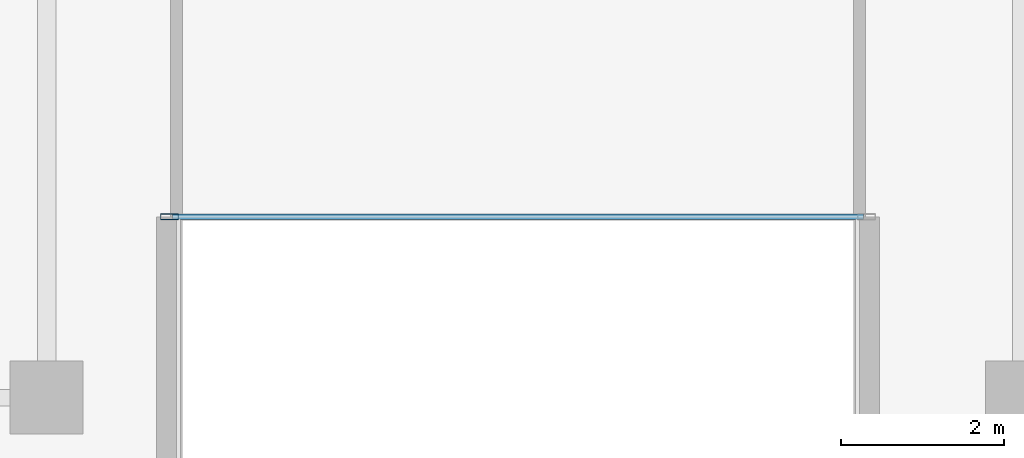
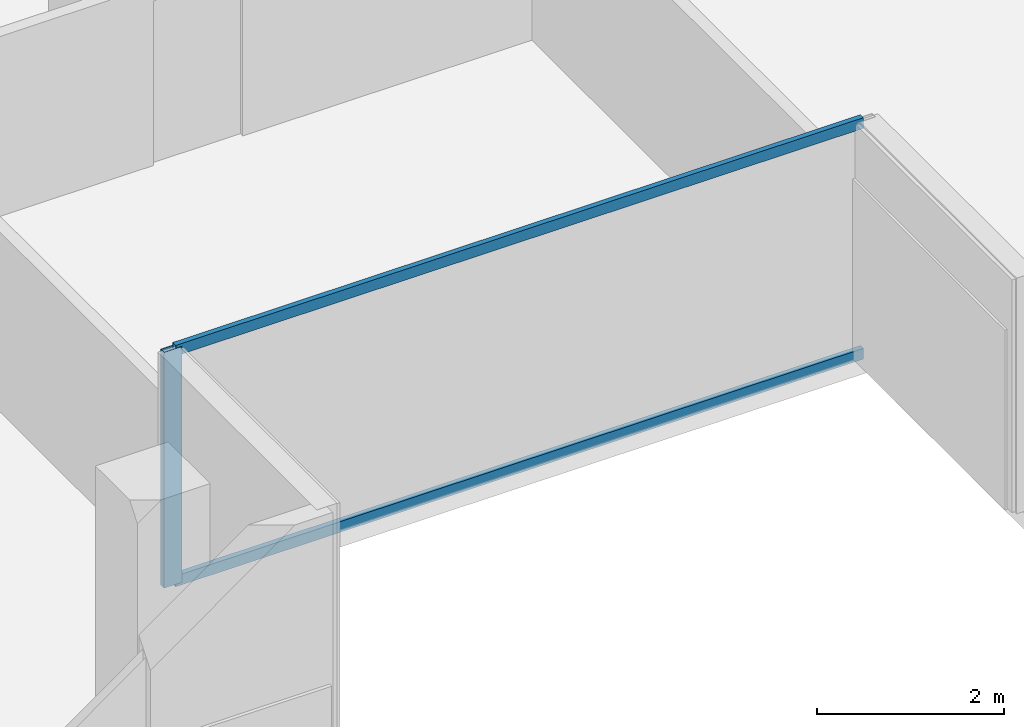
# One storey, part 2 of 19: 3 members, 1 element without a shape of its own.
"""IFC4 building model written with IfcOpenShell, lengths in metres."""

import ifcopenshell
import ifcopenshell.guid

model = None  # the IFC model being written
_history = None  # IfcOwnerHistory: only IFC2X3 demands one
_inside = {}  # id of a spatial element -> (the spatial element, [elements in it])
_under = {}  # id of a project, library or spatial element -> (it, [spatial elements below it])
_declared = {}  # id of a project -> (the project, [libraries it declares])
_typed = {}  # id of a type object -> (the type object, [elements of that type])
_made_of = {}  # id of a material, layer set ... -> (it, [elements and type objects made of it])


def new_model(schema):
    """Start an empty IFC model of exactly this schema.

    Asked for "IFC4X3", IfcOpenShell would pick the latest addendum, in which some entities
    have other attributes; the version numbers below select the first issue.
    IFC2X3 requires an IfcOwnerHistory on every rooted entity: one is made here for all.
    """
    global model, _history
    if schema == "IFC4X3":
        model = ifcopenshell.file(schema_version=(4, 3, 0, 0))
    else:
        model = ifcopenshell.file(schema=schema)
    _inside.clear()
    _under.clear()
    _declared.clear()
    _typed.clear()
    _made_of.clear()
    _history = None
    if model.schema == "IFC2X3":
        org = make("IfcOrganization", Name="unknown")
        user = make(
            "IfcPersonAndOrganization",
            ThePerson=make("IfcPerson", FamilyName="unknown"),
            TheOrganization=org,
        )
        app = make(
            "IfcApplication",
            ApplicationDeveloper=org,
            Version="unknown",
            ApplicationFullName="unknown",
            ApplicationIdentifier="unknown",
        )
        _history = make(
            "IfcOwnerHistory",
            OwningUser=user,
            OwningApplication=app,
            ChangeAction="ADDED",
            CreationDate=0,
        )
    return model


def make(cls, **values):
    """One entity of the class cls with the attributes given. An attribute that is None is left unset."""
    return model.create_entity(
        cls, **{name: value for name, value in values.items() if value is not None}
    )


def rooted(cls, **values):
    """An entity with a GlobalId (a new one), such as an element, a storey or a relation."""
    return make(cls, GlobalId=ifcopenshell.guid.new(), OwnerHistory=_history, **values)


def si_unit(unit_type, name, prefix=None):
    """IfcSIUnit, for example si_unit("LENGTHUNIT", "METRE", prefix="MILLI")."""
    return make("IfcSIUnit", UnitType=unit_type, Prefix=prefix, Name=name)


def assignment(units):
    """IfcUnitAssignment: the units of a project."""
    return None if units is None else make("IfcUnitAssignment", Units=units)


def point(xyz):
    """IfcCartesianPoint."""
    return None if xyz is None else make("IfcCartesianPoint", Coordinates=xyz)


def direction(xyz):
    """IfcDirection."""
    return None if xyz is None else make("IfcDirection", DirectionRatios=xyz)


def frame(location, z_axis=None, x_axis=None):
    """IfcAxis2Placement3D, a coordinate frame: its origin and axes. An axis left out is left unset."""
    return make(
        "IfcAxis2Placement3D",
        Location=point(location),
        Axis=direction(z_axis),
        RefDirection=direction(x_axis),
    )


def frame_2d(location, x_axis=None):
    """IfcAxis2Placement2D, a coordinate frame in the plane: its origin and x axis."""
    return make(
        "IfcAxis2Placement2D", Location=point(location), RefDirection=direction(x_axis)
    )


def origin():
    """The frame at (0, 0, 0) with its axes left unset."""
    return frame((0.0, 0.0, 0.0))


def origin_2d():
    """The frame at (0, 0) in the plane with its x axis left unset."""
    return frame_2d((0.0, 0.0))


def place(relative_to, where):
    """IfcLocalPlacement: puts the frame where relative to a parent placement (None: the world)."""
    return make(
        "IfcLocalPlacement", PlacementRelTo=relative_to, RelativePlacement=where
    )


def context(
    kind, dimensions, precision=None, world=None, true_north=None, identifier=None
):
    """IfcGeometricRepresentationContext, for example the 3D "Model" context."""
    return make(
        "IfcGeometricRepresentationContext",
        ContextIdentifier=identifier,
        ContextType=kind,
        CoordinateSpaceDimension=dimensions,
        Precision=precision,
        WorldCoordinateSystem=world,
        TrueNorth=true_north,
    )


def subcontext(parent, identifier, kind, view, scale=None):
    """IfcGeometricRepresentationSubContext, for example "Body" below "Model"."""
    return make(
        "IfcGeometricRepresentationSubContext",
        ContextIdentifier=identifier,
        ContextType=kind,
        ParentContext=parent,
        TargetScale=scale,
        TargetView=view,
    )


def project(units=None, contexts=None):
    """IfcProject with its units and contexts."""
    return rooted(
        "IfcProject",
        Name="project",
        RepresentationContexts=contexts,
        UnitsInContext=assignment(units),
    )


def spatial(cls, under=None, at=None, **own):
    """A site, building, storey or space (cls), placed at a placement, below another one or the project."""
    s = rooted(cls, ObjectPlacement=at, **own)
    if under is not None:
        _under.setdefault(under.id(), (under, []))[1].append(s)
    return s


def profile(cls, at=None, kind="AREA", **sizes):
    """A parametric profile (cls). Its sizes go by their IFC names, for example OverallWidth=200.0."""
    return make(cls, ProfileType=kind, Position=at, **sizes)


def hollow_rectangle(**sizes):
    """IfcRectangleHollowProfileDef."""
    return profile("IfcRectangleHollowProfileDef", **sizes)


def extrude(swept, where, along, depth):
    """IfcExtrudedAreaSolid: the profile swept, set in the frame where, extruded along a direction by depth."""
    return make(
        "IfcExtrudedAreaSolid",
        SweptArea=swept,
        Position=where,
        ExtrudedDirection=direction(along),
        Depth=depth,
    )


def shape(context_of_items, identifier, shape_type, items):
    """IfcShapeRepresentation: the items that make up one representation, for example the "Body"."""
    return make(
        "IfcShapeRepresentation",
        ContextOfItems=context_of_items,
        RepresentationIdentifier=identifier,
        RepresentationType=shape_type,
        Items=items,
    )


def material(Name=None, Category=None):
    """IfcMaterial."""
    return make("IfcMaterial", Name=Name, Category=Category)


def layer(
    of_material, thickness, ventilated=None, Name=None, Category=None, Priority=None
):
    """IfcMaterialLayer: one layer of a wall or slab, of a material (None: an air gap)."""
    return make(
        "IfcMaterialLayer",
        Material=of_material,
        LayerThickness=thickness,
        IsVentilated=ventilated,
        Name=Name,
        Category=Category,
        Priority=Priority,
    )


def layer_set(layers, Name=None):
    """IfcMaterialLayerSet."""
    return make("IfcMaterialLayerSet", MaterialLayers=layers, LayerSetName=Name)


def material_profile(
    of_material, cross_section, Name=None, Category=None, Priority=None
):
    """IfcMaterialProfile: a cross section and its material."""
    return make(
        "IfcMaterialProfile",
        Name=Name,
        Material=of_material,
        Profile=cross_section,
        Priority=Priority,
        Category=Category,
    )


def profile_set(profiles, Name=None, composite=None):
    """IfcMaterialProfileSet."""
    return make(
        "IfcMaterialProfileSet",
        Name=Name,
        MaterialProfiles=profiles,
        CompositeProfile=composite,
    )


def made_of(thing, what):
    """Note that an element or type object is made of a material, layer set ...; save() writes the relation."""
    if what is not None:
        _made_of.setdefault(what.id(), (what, []))[1].append(thing)
    return thing


def type_object(cls, material=None, **own):
    """A type object (cls), such as IfcWallType, which elements share."""
    return made_of(rooted(cls, **own), material)


def element(
    cls,
    number,
    at=None,
    inside=None,
    cuts=None,
    type_object=None,
    material=None,
    context=None,
    identifier="Body",
    shape_type=None,
    held_by="IfcProductDefinitionShape",
    body=None,
    shapes=None,
    **own,
):
    """One element of the class cls, such as IfcWall. Its Tag is "e" and its number.

    at: its placement. inside: the storey or other place that contains it. cuts: it is an
    opening in that element (IfcRelVoidsElement). A single representation is given by context,
    identifier, shape_type and body (its items); several are given by shapes. held_by: the class
    of the entity that holds the representations. save() writes the other relations.
    """
    e = rooted(cls, Tag="e%d" % number, ObjectPlacement=at, **own)
    if body is not None:
        shapes = [shape(context, identifier, shape_type, body)]
    if shapes is not None:
        e.Representation = make(held_by, Representations=shapes)
    if inside is not None:
        _inside.setdefault(inside.id(), (inside, []))[1].append(e)
    if cuts is not None:
        rooted(
            "IfcRelVoidsElement", RelatingBuildingElement=cuts, RelatedOpeningElement=e
        )
    if type_object is not None:
        _typed.setdefault(type_object.id(), (type_object, []))[1].append(e)
    return made_of(e, material)


def aggregate(whole, parts):
    """IfcRelAggregates: a whole, such as a stair, and the parts it consists of."""
    return rooted("IfcRelAggregates", RelatingObject=whole, RelatedObjects=parts)


def save(model, path):
    """Write the relations noted so far, then the file.

    IfcRelAggregates (storeys below a building ...), IfcRelContainedInSpatialStructure (elements
    in a storey), IfcRelDefinesByType, IfcRelAssociatesMaterial and IfcRelDeclares: one each for
    every whole, place, type object, material and project.
    """
    for whole, parts in _under.values():
        aggregate(whole, parts)
    for where, things in _inside.values():
        rooted(
            "IfcRelContainedInSpatialStructure",
            RelatedElements=things,
            RelatingStructure=where,
        )
    for kind, things in _typed.values():
        rooted("IfcRelDefinesByType", RelatedObjects=things, RelatingType=kind)
    for what, things in _made_of.values():
        rooted("IfcRelAssociatesMaterial", RelatedObjects=things, RelatingMaterial=what)
    for by, libraries in _declared.values():
        rooted("IfcRelDeclares", RelatingContext=by, RelatedDefinitions=libraries)
    model.write(path)


model = new_model("IFC4")

# Units and contexts
model_context = context("Model", 3, precision=1e-05, world=origin(), true_north=direction((0.0, 1.0)))
body_context = subcontext(model_context, "Body", "Model", "MODEL_VIEW")
ifc_project = project(units=[si_unit("LENGTHUNIT", "METRE"), si_unit("AREAUNIT", "SQUARE_METRE"), si_unit("VOLUMEUNIT", "CUBIC_METRE"), si_unit("PLANEANGLEUNIT", "RADIAN"), si_unit("MASSUNIT", "GRAM", prefix="KILO")], contexts=[model_context])

# Site, building, storey
site_placement = place(None, origin())
site = spatial("IfcSite", under=ifc_project, at=site_placement, CompositionType="ELEMENT")
building_placement = place(site_placement, origin())
building = spatial("IfcBuilding", under=site, at=building_placement, Name="Tanjung Sevakor Pilgrim Tower", CompositionType="ELEMENT")
storey_placement = place(building_placement, frame((0.0, 0.0, 138.60009765625)))
storey = spatial("IfcBuildingStorey", under=building, at=storey_placement, Name="L38", CompositionType="ELEMENT", Elevation=138.60009765625)

# Curtain wall, members
ifc_material_1 = material(Name="Aluminium 6063-T6 and Low-E Glass", Category="aluminium")
ifc_layer = layer(ifc_material_1, 0.179931640625)
ifc_layer_set = layer_set([ifc_layer], Name="CW-SYS-CLEFT")
curtain_wall_type = type_object("IfcCurtainWallType", Name="CW-SYS-CLEFT", PredefinedType="NOTDEFINED", material=ifc_layer_set)
curtain_wall_placement = place(storey_placement, origin())
curtain_wall = element("IfcCurtainWall", 1, at=curtain_wall_placement, inside=storey, type_object=curtain_wall_type, Name="L38 Curtain Wall CW-CLF-L38-2", PredefinedType="NOTDEFINED")
ifc_material_2 = material(Name="Aluminium 6063-T6", Category="aluminium")
ifc_material_profile_1 = material_profile(ifc_material_2, hollow_rectangle(XDim=0.074951171875, YDim=0.219970703125, WallThickness=0.0048828125, at=origin_2d()))
ifc_profile_set_1 = profile_set([ifc_material_profile_1], Name="Aluminium 6063-T6")
member_type_1 = type_object("IfcMemberType", Name="TYPE-CWM-2", PredefinedType="MULLION", material=ifc_profile_set_1)
member_1_placement = place(storey_placement, frame((43.512451171875, 15.425048828125, 0.0), z_axis=(0.0, 0.0, 1.0), x_axis=(0.0, 1.0, 0.0)))
member_1 = element("IfcMember", 2, at=member_1_placement, type_object=member_type_1, Name="CW-CLF mullion 1", PredefinedType="MULLION", context=body_context, shape_type="SweptSolid", body=[
    extrude(hollow_rectangle(XDim=0.074951171875, YDim=0.219970703125, WallThickness=0.0048828125, at=origin_2d()), origin(), (0.0, 0.0, 1.0), 3.079833984375),
])
ifc_material_3 = material(Name="Aluminium 6063-T6", Category="aluminium")
ifc_material_profile_2 = material_profile(ifc_material_3, hollow_rectangle(XDim=0.06494140625, YDim=0.139892578125, WallThickness=0.00390625, at=origin_2d()))
ifc_profile_set_2 = profile_set([ifc_material_profile_2], Name="Aluminium 6063-T6")
member_type_2 = type_object("IfcMemberType", Name="TYPE-CWT-1", PredefinedType="USERDEFINED", material=ifc_profile_set_2)
member_2_placement = place(storey_placement, frame((43.550048828125, 15.425048828125, 0.032470703125), z_axis=(1.0, 0.0, 0.0), x_axis=(0.0, 1.0, 0.0)))
member_2 = element("IfcMember", 3, at=member_2_placement, type_object=member_type_2, Name="CW-CLF transom 1.1", ObjectType="TRANSOM", PredefinedType="USERDEFINED", context=body_context, shape_type="SweptSolid", body=[
    extrude(hollow_rectangle(XDim=0.06494140625, YDim=0.139892578125, WallThickness=0.00390625, at=origin_2d()), origin(), (0.0, 0.0, 1.0), 8.5),
])
member_3_placement = place(storey_placement, frame((43.550048828125, 15.425048828125, 3.04736328125), z_axis=(1.0, 0.0, 0.0), x_axis=(0.0, 1.0, 0.0)))
member_3 = element("IfcMember", 4, at=member_3_placement, type_object=member_type_2, Name="CW-CLF transom 1.2", ObjectType="TRANSOM", PredefinedType="USERDEFINED", context=body_context, shape_type="SweptSolid", body=[
    extrude(hollow_rectangle(XDim=0.06494140625, YDim=0.139892578125, WallThickness=0.00390625, at=origin_2d()), origin(), (0.0, 0.0, 1.0), 8.5),
])
aggregate(curtain_wall, [member_1, member_2, member_3])

save(model, "model.ifc")
